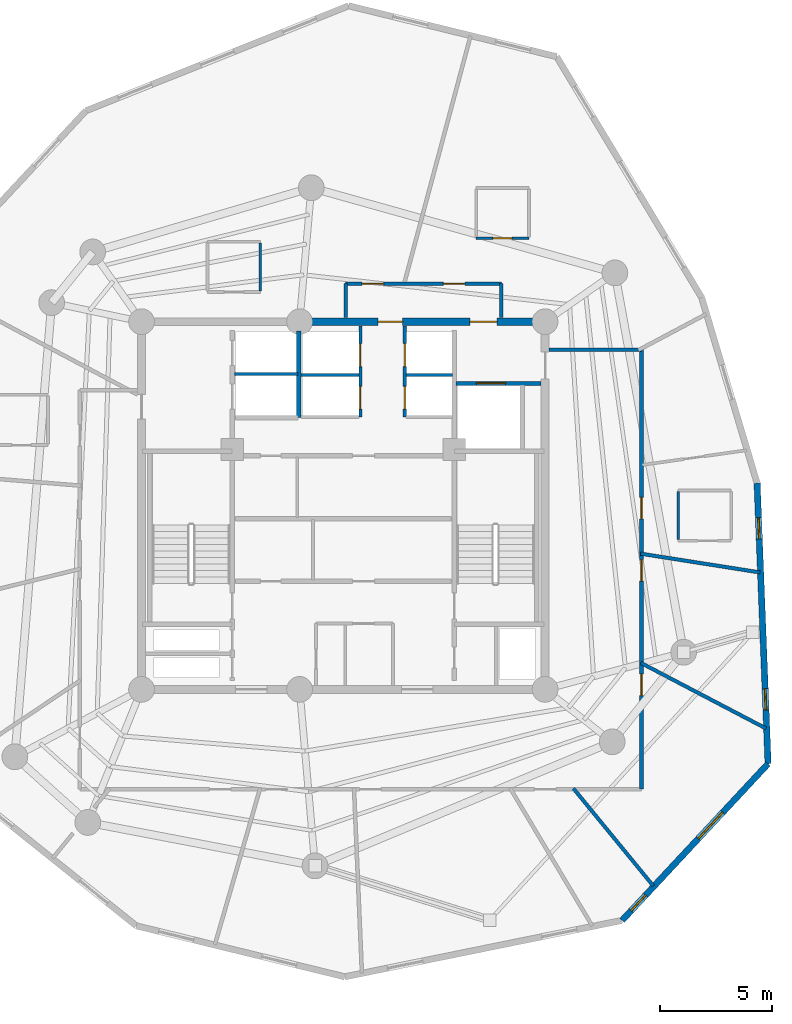
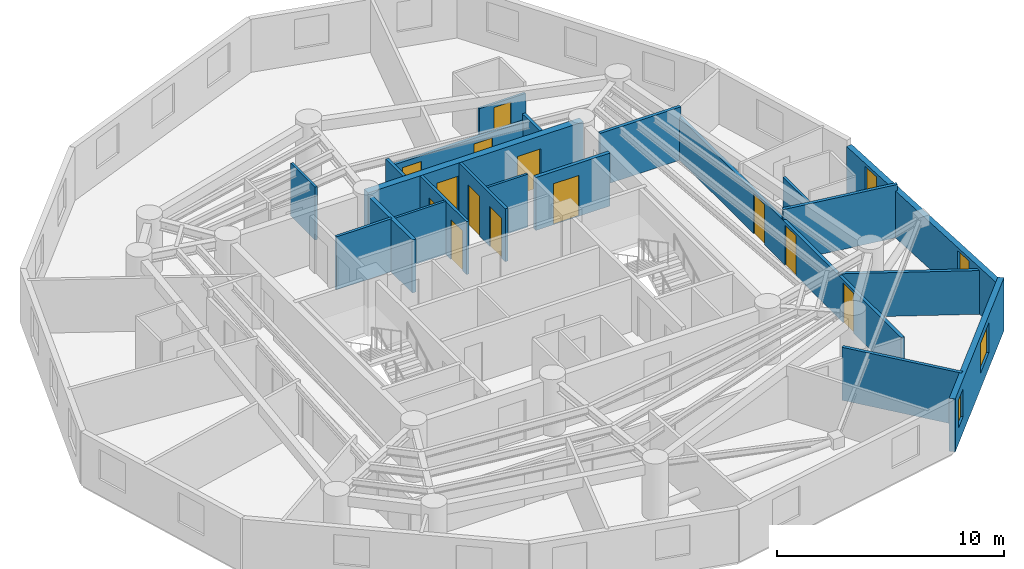
# One storey, part 5 of 7: 21 walls, 13 doors, 4 windows, 17 openings.
"""IFC4 building model written with IfcOpenShell, lengths in metres."""

from ifc_helpers import new_model, si_unit, direction, frame, frame_2d, origin, origin_with_axes, place, context, subcontext, project, spatial, rectangle, extrude, source, transform, mapped, material, layer, layer_set, type_object, element, fill, save


model = new_model("IFC4")

# Units and contexts
model_context = context("Model", 3, precision=1e-05, world=origin(), true_north=direction((0.0, 1.0)))
body_context = subcontext(model_context, "Body", "Model", "MODEL_VIEW")
ifc_project = project(units=[si_unit("LENGTHUNIT", "METRE"), si_unit("AREAUNIT", "SQUARE_METRE"), si_unit("VOLUMEUNIT", "CUBIC_METRE"), si_unit("PLANEANGLEUNIT", "RADIAN"), si_unit("MASSUNIT", "GRAM", prefix="KILO")], contexts=[model_context])

# Site, building, storey
site_placement = place(None, origin())
site = spatial("IfcSite", under=ifc_project, at=site_placement, CompositionType="ELEMENT")
building_placement = place(site_placement, origin())
building = spatial("IfcBuilding", under=site, at=building_placement, Name="Karkom Vertical University and Central Library", CompositionType="ELEMENT")
storey_placement = place(building_placement, frame((0.0, 0.0, 229.10009765625)))
storey = spatial("IfcBuildingStorey", under=building, at=storey_placement, Name="L67", CompositionType="ELEMENT", Elevation=229.10009765625)

# Wall, openings, windows
ifc_material_1 = material(Name="Brick-faced precast concrete C45/55", Category="masonry")
ifc_layer_1 = layer(ifc_material_1, 0.280029296875)
ifc_layer_set_1 = layer_set([ifc_layer_1], Name="Brick-faced precast concrete C45/55")
wall_type_1 = type_object("IfcWallType", Name="ENV-WL-BRK-280", PredefinedType="SOLIDWALL", material=ifc_layer_set_1)
wall_1_placement = place(storey_placement, frame((40.933349609375, 7.990478515625, 0.0), z_axis=(0.0, 0.0, 1.0), x_axis=(0.68172995059, 0.731603905449, 0.0)))
wall_1 = element("IfcWall", 1, at=wall_1_placement, inside=storey, type_object=wall_type_1, Name="Level 67 Brick-Faced Precast Facade Wall 05", PredefinedType="SOLIDWALL", context=body_context, shape_type="SweptSolid", body=[
    extrude(rectangle(XDim=9.555419921875, YDim=0.280029296875, at=frame_2d((4.77783203125, 0.0))), origin(), (0.0, 0.0, 1.0), 2.849853515625),
])
opening_1_placement = place(wall_1_placement, frame((0.59619140625, 0.0, 0.85009765625)))
opening_1 = element("IfcOpeningElement", 2, at=opening_1_placement, cuts=wall_1, Name="Opening WN-12", PredefinedType="OPENING", context=body_context, shape_type="SweptSolid", body=[
    extrude(rectangle(XDim=0.949951171875, YDim=1.5, at=frame_2d((0.47509765625, 0.75))), frame((0.0, 0.14990234375, 0.0), z_axis=(0.0, -1.0, 0.0), x_axis=(1.0, 0.0, 0.0)), (0.0, 0.0, 1.0), 0.300048828125),
])
opening_2_placement = place(wall_1_placement, frame((4.989013671875, 0.0, 0.85009765625)))
opening_2 = element("IfcOpeningElement", 3, at=opening_2_placement, cuts=wall_1, Name="Opening WN-10", PredefinedType="OPENING", context=body_context, shape_type="SweptSolid", body=[
    extrude(rectangle(XDim=1.60009765625, YDim=1.60009765625, at=frame_2d((0.800048828125, 0.800048828125))), frame((0.0, 0.14990234375, 0.0), z_axis=(0.0, -1.0, 0.0), x_axis=(1.0, 0.0, 0.0)), (0.0, 0.0, 1.0), 0.300048828125),
])
ifc_material_2 = material(Name="Aluminium thermal-break frame with solar-control IGU", Category="aluminium")
window_type_1 = type_object("IfcWindowType", Name="ENV-WIN-WN-12", PartitioningType="SINGLE_PANEL", PredefinedType="WINDOW", material=ifc_material_2)
shared_shape_1 = source(origin_with_axes(), body_context, "Body", "SweptSolid", [
    extrude(rectangle(XDim=0.949951171875, YDim=1.5, at=frame_2d((0.47509765625, 0.75))), frame((0.0, 0.030029296875, 0.0), z_axis=(0.0, -1.0, 0.0), x_axis=(1.0, 0.0, 0.0)), (0.0, 0.0, 1.0), 0.06005859375),
])
window_1_placement = place(opening_1_placement, origin())
window_1 = element("IfcWindow", 4, at=window_1_placement, inside=storey, type_object=window_type_1, Name="Level 67 Punched Window 5.1", OverallHeight=1.5, OverallWidth=0.949951171875, PartitioningType="SINGLE_PANEL", PredefinedType="WINDOW", context=body_context, shape_type="MappedRepresentation", body=[
    mapped(shared_shape_1, transform((0.0, 0.0, 0.0), scale=1.0)),
])
fill(opening_1, window_1)
window_type_2 = type_object("IfcWindowType", Name="ENV-WIN-WN-10", PartitioningType="SINGLE_PANEL", PredefinedType="WINDOW", material=ifc_material_2)
shared_shape_2 = source(origin_with_axes(), body_context, "Body", "SweptSolid", [
    extrude(rectangle(XDim=1.60009765625, YDim=1.60009765625, at=frame_2d((0.800048828125, 0.800048828125))), frame((0.0, 0.030029296875, 0.0), z_axis=(0.0, -1.0, 0.0), x_axis=(1.0, 0.0, 0.0)), (0.0, 0.0, 1.0), 0.06005859375),
])
window_2_placement = place(opening_2_placement, origin())
window_2 = element("IfcWindow", 5, at=window_2_placement, inside=storey, type_object=window_type_2, Name="Level 67 Punched Window 5.2", OverallHeight=1.60009765625, OverallWidth=1.60009765625, PartitioningType="SINGLE_PANEL", PredefinedType="WINDOW", context=body_context, shape_type="MappedRepresentation", body=[
    mapped(shared_shape_2, transform((0.0, 0.0, 0.0), scale=1.0)),
])
fill(opening_2, window_2)

wall_2_placement = place(storey_placement, frame((47.447509765625, 14.981201171875, 0.0), z_axis=(0.0, 0.0, 1.0), x_axis=(-0.03901101705, 0.999238780547, 0.0)))
wall_2 = element("IfcWall", 6, at=wall_2_placement, inside=storey, type_object=wall_type_1, Name="Level 67 Brick-Faced Precast Facade Wall 06", PredefinedType="SOLIDWALL", context=body_context, shape_type="SweptSolid", body=[
    extrude(rectangle(XDim=12.54150390625, YDim=0.280029296875, at=frame_2d((6.270751953125, 0.0))), origin(), (0.0, 0.0, 1.0), 2.52001953125),
])
opening_3_placement = place(wall_2_placement, frame((2.397705078125, 0.0, 0.85009765625)))
opening_3 = element("IfcOpeningElement", 7, at=opening_3_placement, cuts=wall_2, Name="Opening WN-12", PredefinedType="OPENING", context=body_context, shape_type="SweptSolid", body=[
    extrude(rectangle(XDim=0.949951171875, YDim=1.5, at=frame_2d((0.47509765625, 0.75))), frame((0.0, 0.14990234375, 0.0), z_axis=(0.0, -1.0, 0.0), x_axis=(1.0, 0.0, 0.0)), (0.0, 0.0, 1.0), 0.300048828125),
])
opening_4_placement = place(wall_2_placement, frame((10.040283203125, 0.0, 0.85009765625)))
opening_4 = element("IfcOpeningElement", 8, at=opening_4_placement, cuts=wall_2, Name="Opening WN-12", PredefinedType="OPENING", context=body_context, shape_type="SweptSolid", body=[
    extrude(rectangle(XDim=0.949951171875, YDim=1.5, at=frame_2d((0.47509765625, 0.75))), frame((0.0, 0.14990234375, 0.0), z_axis=(0.0, -1.0, 0.0), x_axis=(1.0, 0.0, 0.0)), (0.0, 0.0, 1.0), 0.300048828125),
])
window_3_placement = place(opening_3_placement, origin())
window_3 = element("IfcWindow", 9, at=window_3_placement, inside=storey, type_object=window_type_1, Name="Level 67 Punched Window 6.1", OverallHeight=1.5, OverallWidth=0.949951171875, PartitioningType="SINGLE_PANEL", PredefinedType="WINDOW", context=body_context, shape_type="MappedRepresentation", body=[
    mapped(shared_shape_1, transform((0.0, 0.0, 0.0), scale=1.0)),
])
fill(opening_3, window_3)
window_4_placement = place(opening_4_placement, origin())
window_4 = element("IfcWindow", 10, at=window_4_placement, inside=storey, type_object=window_type_1, Name="Level 67 Punched Window 6.2", OverallHeight=1.5, OverallWidth=0.949951171875, PartitioningType="SINGLE_PANEL", PredefinedType="WINDOW", context=body_context, shape_type="MappedRepresentation", body=[
    mapped(shared_shape_1, transform((0.0, 0.0, 0.0), scale=1.0)),
])
fill(opening_4, window_4)

# Wall, openings, doors
ifc_material_3 = material(Name="Insulated metal-stud drywall 160mm", Category="gypsum")
ifc_layer_2 = layer(ifc_material_3, 0.159912109375)
ifc_layer_set_2 = layer_set([ifc_layer_2], Name="Insulated metal-stud drywall 160mm")
wall_type_2 = type_object("IfcWallType", Name="INT-WL-COR-160", PredefinedType="PARTITIONING", material=ifc_layer_set_2)
wall_3_placement = place(storey_placement, frame((41.800048828125, 33.449951171875, 0.0), z_axis=(0.0, 0.0, 1.0), x_axis=(0.0, -1.0, 0.0)))
wall_3 = element("IfcWall", 11, at=wall_3_placement, inside=storey, type_object=wall_type_2, Name="Level 67 Interior Partition Wall L67-CORW-CW-005", PredefinedType="PARTITIONING", context=body_context, shape_type="SweptSolid", body=[
    extrude(rectangle(XDim=19.599853515625, YDim=0.159912109375, at=frame_2d((9.7998046875, 0.0))), origin(), (0.0, 0.0, 1.0), 2.2998046875),
])
opening_5_placement = place(wall_3_placement, frame((6.587646484375, 0.0, 0.0)))
opening_5 = element("IfcOpeningElement", 12, at=opening_5_placement, cuts=wall_3, Name="Opening FD-RM2", PredefinedType="OPENING", context=body_context, shape_type="SweptSolid", body=[
    extrude(rectangle(XDim=0.9599609375, YDim=2.14990234375, at=frame_2d((0.47998046875, 1.074951171875))), frame((0.0, 0.08984375, 0.0), z_axis=(0.0, -1.0, 0.0), x_axis=(1.0, 0.0, 0.0)), (0.0, 0.0, 1.0), 0.179931640625),
])
opening_6_placement = place(wall_3_placement, frame((14.465087890625, 0.0, 0.0)))
opening_6 = element("IfcOpeningElement", 13, at=opening_6_placement, cuts=wall_3, Name="Opening FD-RM2", PredefinedType="OPENING", context=body_context, shape_type="SweptSolid", body=[
    extrude(rectangle(XDim=0.9599609375, YDim=2.14990234375, at=frame_2d((0.47998046875, 1.074951171875))), frame((0.0, 0.08984375, 0.0), z_axis=(0.0, -1.0, 0.0), x_axis=(1.0, 0.0, 0.0)), (0.0, 0.0, 1.0), 0.179931640625),
])
opening_7_placement = place(wall_3_placement, frame((9.364990234375, 0.0, 0.0)))
opening_7 = element("IfcOpeningElement", 14, at=opening_7_placement, cuts=wall_3, Name="Opening FD-RM2", PredefinedType="OPENING", context=body_context, shape_type="SweptSolid", body=[
    extrude(rectangle(XDim=0.9599609375, YDim=2.14990234375, at=frame_2d((0.47998046875, 1.074951171875))), frame((0.0, 0.08984375, 0.0), z_axis=(0.0, -1.0, 0.0), x_axis=(1.0, 0.0, 0.0)), (0.0, 0.0, 1.0), 0.179931640625),
])
ifc_material_4 = material(Name="Fire-rated oak veneer door", Category="wood")
door_type_1 = type_object("IfcDoorType", Name="INT-DR-FRM2", OperationType="NOTDEFINED", PredefinedType="DOOR", material=ifc_material_4)
shared_shape_3 = source(origin_with_axes(), body_context, "Body", "SweptSolid", [
    extrude(rectangle(XDim=0.9599609375, YDim=2.14990234375, at=frame_2d((0.47998046875, 1.074951171875))), frame((0.0, 0.02490234375, 0.0), z_axis=(0.0, -1.0, 0.0), x_axis=(1.0, 0.0, 0.0)), (0.0, 0.0, 1.0), 0.050048828125),
])
door_1_placement = place(opening_5_placement, origin())
door_1 = element("IfcDoor", 15, at=door_1_placement, inside=storey, type_object=door_type_1, Name="Level 67 Room Entry Door 418", OperationType="SINGLE_SWING_LEFT", OverallHeight=2.14990234375, OverallWidth=0.9599609375, PredefinedType="DOOR", context=body_context, shape_type="MappedRepresentation", body=[
    mapped(shared_shape_3, transform((0.0, 0.0, 0.0), scale=1.0)),
])
fill(opening_5, door_1)
door_2_placement = place(opening_6_placement, origin())
door_2 = element("IfcDoor", 16, at=door_2_placement, inside=storey, type_object=door_type_1, Name="Level 67 Room Entry Door 307", OperationType="SINGLE_SWING_LEFT", OverallHeight=2.14990234375, OverallWidth=0.9599609375, PredefinedType="DOOR", context=body_context, shape_type="MappedRepresentation", body=[
    mapped(shared_shape_3, transform((0.0, 0.0, 0.0), scale=1.0)),
])
fill(opening_6, door_2)
door_3_placement = place(opening_7_placement, origin())
door_3 = element("IfcDoor", 17, at=door_3_placement, inside=storey, type_object=door_type_1, Name="Level 67 Room Entry Door 308", OperationType="SINGLE_SWING_RIGHT", OverallHeight=2.14990234375, OverallWidth=0.9599609375, PredefinedType="DOOR", context=body_context, shape_type="MappedRepresentation", body=[
    mapped(shared_shape_3, transform((0.0, 0.0, 0.0), scale=1.0)),
])
fill(opening_7, door_3)

wall_4_placement = place(storey_placement, frame((28.60009765625, 36.39990234375, 0.0), z_axis=(0.0, 0.0, 1.0), x_axis=(1.0, 0.0, 0.0)))
wall_4 = element("IfcWall", 18, at=wall_4_placement, inside=storey, type_object=wall_type_2, Name="Level 67 Interior Partition Wall L67-CORW-CW-007", PredefinedType="PARTITIONING", context=body_context, shape_type="SweptSolid", body=[
    extrude(rectangle(XDim=6.949951171875, YDim=0.159912109375, at=frame_2d((3.47509765625, 0.0))), origin(), (0.0, 0.0, 1.0), 2.449951171875),
])
opening_8_placement = place(wall_4_placement, frame((4.358154296875, 0.0, 0.0)))
opening_8 = element("IfcOpeningElement", 19, at=opening_8_placement, cuts=wall_4, Name="Opening FD-RM2", PredefinedType="OPENING", context=body_context, shape_type="SweptSolid", body=[
    extrude(rectangle(XDim=0.9599609375, YDim=2.14990234375, at=frame_2d((0.47998046875, 1.074951171875))), frame((0.0, 0.08984375, 0.0), z_axis=(0.0, -1.0, 0.0), x_axis=(1.0, 0.0, 0.0)), (0.0, 0.0, 1.0), 0.179931640625),
])
opening_9_placement = place(wall_4_placement, frame((0.740966796875, 0.0, 0.0)))
opening_9 = element("IfcOpeningElement", 20, at=opening_9_placement, cuts=wall_4, Name="Opening FD-RM2", PredefinedType="OPENING", context=body_context, shape_type="SweptSolid", body=[
    extrude(rectangle(XDim=0.9599609375, YDim=2.14990234375, at=frame_2d((0.47998046875, 1.074951171875))), frame((0.0, 0.08984375, 0.0), z_axis=(0.0, -1.0, 0.0), x_axis=(1.0, 0.0, 0.0)), (0.0, 0.0, 1.0), 0.179931640625),
])
door_4_placement = place(opening_8_placement, origin())
door_4 = element("IfcDoor", 21, at=door_4_placement, inside=storey, type_object=door_type_1, Name="Level 67 Room Entry Door 420", OperationType="SINGLE_SWING_LEFT", OverallHeight=2.14990234375, OverallWidth=0.9599609375, PredefinedType="DOOR", context=body_context, shape_type="MappedRepresentation", body=[
    mapped(shared_shape_3, transform((0.0, 0.0, 0.0), scale=1.0)),
])
fill(opening_8, door_4)
door_5_placement = place(opening_9_placement, origin())
door_5 = element("IfcDoor", 22, at=door_5_placement, inside=storey, type_object=door_type_1, Name="Level 67 Room Entry Door 422", OperationType="SINGLE_SWING_LEFT", OverallHeight=2.14990234375, OverallWidth=0.9599609375, PredefinedType="DOOR", context=body_context, shape_type="MappedRepresentation", body=[
    mapped(shared_shape_3, transform((0.0, 0.0, 0.0), scale=1.0)),
])
fill(opening_9, door_5)

# Walls
wall_5_placement = place(storey_placement, frame((41.7734375, 19.479736328125, 0.0), z_axis=(0.0, 0.0, 1.0), x_axis=(0.885840640279, -0.463989611986, 0.0)))
element("IfcWall", 23, at=wall_5_placement, inside=storey, type_object=wall_type_2, Name="Level 67 Interior Partition Wall L67-PW-010", PredefinedType="PARTITIONING", context=body_context, shape_type="SweptSolid", body=[
    extrude(rectangle(XDim=6.2978515625, YDim=0.159912109375, at=frame_2d((3.14892578125, 0.0))), origin(), (0.0, 0.0, 1.0), 2.349853515625),
])
wall_6_placement = place(storey_placement, frame((38.760498046875, 13.884765625, 0.0), z_axis=(0.0, 0.0, 1.0), x_axis=(0.633879507898, -0.773431813069, 0.0)))
element("IfcWall", 24, at=wall_6_placement, inside=storey, type_object=wall_type_2, Name="Level 67 Interior Partition Wall L67-PW-009", PredefinedType="PARTITIONING", context=body_context, shape_type="SweptSolid", body=[
    extrude(rectangle(XDim=5.63330078125, YDim=0.159912109375, at=frame_2d((2.816650390625, 0.0))), origin(), (0.0, 0.0, 1.0), 2.849853515625),
])
wall_7_placement = place(storey_placement, frame((41.755615234375, 24.354736328125, 0.0), z_axis=(0.0, 0.0, 1.0), x_axis=(0.987858490446, -0.155356373715, 0.0)))
element("IfcWall", 25, at=wall_7_placement, inside=storey, type_object=wall_type_2, Name="Level 67 Interior Partition Wall L67-PW-011", PredefinedType="PARTITIONING", context=body_context, shape_type="SweptSolid", body=[
    extrude(rectangle(XDim=5.39794921875, YDim=0.159912109375, at=frame_2d((2.698974609375, 0.0))), origin(), (0.0, 0.0, 1.0), 2.849853515625),
])
wall_8_placement = place(storey_placement, frame((37.681884765625, 33.449951171875, 0.0), z_axis=(0.0, 0.0, 1.0), x_axis=(1.0, 0.0, 0.0)))
element("IfcWall", 26, at=wall_8_placement, inside=storey, type_object=wall_type_2, Name="Level 67 Interior Partition Wall L67-CORW-CW-004", PredefinedType="PARTITIONING", context=body_context, shape_type="SweptSolid", body=[
    extrude(rectangle(XDim=4.1181640625, YDim=0.159912109375, at=frame_2d((2.05908203125, 0.0))), origin(), (0.0, 0.0, 1.0), 2.849853515625),
])
for number, where, z_axis, x_axis, name in (
    (27, (28.60009765625, 34.882080078125, 0.0), (0.0, 0.0, 1.0), (0.0, 1.0, 0.0), "Level 67 Interior Partition Wall L67-CORW-CW-006"),
    (28, (35.550048828125, 36.39990234375, 0.0), (0.0, 0.0, 1.0), (0.0, -1.0, 0.0), "Level 67 Interior Partition Wall L67-CORW-CW-008"),
):
    element("IfcWall", number, at=place(storey_placement, frame(where, z_axis=z_axis, x_axis=x_axis)), inside=storey, type_object=wall_type_2, Name=name, PredefinedType="PARTITIONING", context=body_context, shape_type="SweptSolid", body=[
        extrude(rectangle(XDim=1.517822265625, YDim=0.159912109375, at=frame_2d((0.7587890625, 0.0))), origin(), (0.0, 0.0, 1.0), 2.849853515625),
    ])

# Wall, opening, door
ifc_material_5 = material(Name="Moisture-resistant drywall 120mm", Category="gypsum")
ifc_layer_3 = layer(ifc_material_5, 0.1201171875)
ifc_layer_set_3 = layer_set([ifc_layer_3], Name="Moisture-resistant drywall 120mm")
wall_type_3 = type_object("IfcWallType", Name="INT-WL-INT-120F", PredefinedType="PARTITIONING", material=ifc_layer_set_3)
wall_9_placement = place(storey_placement, frame((34.423095703125, 38.422119140625, 0.0), z_axis=(0.0, 0.0, 1.0), x_axis=(1.0, 0.0, 0.0)))
wall_9 = element("IfcWall", 29, at=wall_9_placement, inside=storey, type_object=wall_type_3, Name="Level 67 Interior Partition Wall L67-ENS-50-S", PredefinedType="PARTITIONING", context=body_context, shape_type="SweptSolid", body=[
    extrude(rectangle(XDim=2.35986328125, YDim=0.1201171875, at=frame_2d((1.179931640625, 0.0))), origin(), (0.0, 0.0, 1.0), 2.2998046875),
])
opening_10_placement = place(wall_9_placement, frame((0.75, 0.0, 0.0)))
opening_10 = element("IfcOpeningElement", 30, at=opening_10_placement, cuts=wall_9, Name="Opening D-BATH", PredefinedType="OPENING", context=body_context, shape_type="SweptSolid", body=[
    extrude(rectangle(XDim=0.860107421875, YDim=2.10009765625, at=frame_2d((0.43017578125, 1.050048828125))), frame((0.0, 0.070068359375, 0.0), z_axis=(0.0, -1.0, 0.0), x_axis=(1.0, 0.0, 0.0)), (0.0, 0.0, 1.0), 0.14013671875),
])
ifc_material_6 = material(Name="Moisture-resistant oak door", Category="wood")
door_type_2 = type_object("IfcDoorType", Name="INT-DR-BATH", OperationType="NOTDEFINED", PredefinedType="DOOR", material=ifc_material_6)
shared_shape_4 = source(origin_with_axes(), body_context, "Body", "SweptSolid", [
    extrude(rectangle(XDim=0.860107421875, YDim=2.10009765625, at=frame_2d((0.43017578125, 1.050048828125))), frame((0.0, 0.02490234375, 0.0), z_axis=(0.0, -1.0, 0.0), x_axis=(1.0, 0.0, 0.0)), (0.0, 0.0, 1.0), 0.050048828125),
])
door_6_placement = place(opening_10_placement, origin())
door_6 = element("IfcDoor", 31, at=door_6_placement, inside=storey, type_object=door_type_2, Name="Level 67 En-Suite Bathroom Door 50", OperationType="SINGLE_SWING_RIGHT", OverallHeight=2.10009765625, OverallWidth=0.860107421875, PredefinedType="DOOR", context=body_context, shape_type="MappedRepresentation", body=[
    mapped(shared_shape_4, transform((0.0, 0.0, 0.0), scale=1.0)),
])
fill(opening_10, door_6)

# Walls
wall_10_placement = place(storey_placement, frame((43.43798828125, 27.125, 0.0), z_axis=(0.0, 0.0, 1.0), x_axis=(0.0, -1.0, 0.0)))
element("IfcWall", 32, at=wall_10_placement, inside=storey, type_object=wall_type_3, Name="Level 67 Interior Partition Wall L67-ENS-49-W", PredefinedType="PARTITIONING", context=body_context, shape_type="SweptSolid", body=[
    extrude(rectangle(XDim=2.139892578125, YDim=0.1201171875, at=frame_2d((1.06982421875, 0.0))), origin(), (0.0, 0.0, 1.0), 2.2998046875),
])
wall_11_placement = place(storey_placement, frame((24.799072265625, 36.076904296875, 0.0), z_axis=(0.0, 0.0, 1.0), x_axis=(0.0, 1.0, 0.0)))
element("IfcWall", 33, at=wall_11_placement, inside=storey, type_object=wall_type_3, Name="Level 67 Interior Partition Wall L67-ENS-51-E", PredefinedType="PARTITIONING", context=body_context, shape_type="SweptSolid", body=[
    extrude(rectangle(XDim=2.14013671875, YDim=0.1201171875, at=frame_2d((1.070068359375, 0.0))), origin(), (0.0, 0.0, 1.0), 2.849853515625),
])
ifc_layer_4 = layer(ifc_material_5, 0.1201171875)
ifc_layer_set_4 = layer_set([ifc_layer_4], Name="Moisture-resistant drywall 120mm")
wall_type_4 = type_object("IfcWallType", Name="INT-WL-INT-120H", PredefinedType="PARTITIONING", material=ifc_layer_set_4)
wall_12_placement = place(storey_placement, frame((26.6201171875, 32.320068359375, 0.0), z_axis=(0.0, 0.0, 1.0), x_axis=(1.0, 0.0, 0.0)))
element("IfcWall", 34, at=wall_12_placement, inside=storey, type_object=wall_type_4, Name="Level 67 Interior Partition Wall L67-CW-PH-MW", PredefinedType="PARTITIONING", context=body_context, shape_type="SweptSolid", body=[
    extrude(rectangle(XDim=2.579833984375, YDim=0.1201171875, at=frame_2d((1.2900390625, 0.0))), origin(), (0.0, 0.0, 1.0), 2.849853515625),
])
wall_13_placement = place(storey_placement, frame((31.300048828125, 32.320068359375, 0.0), z_axis=(0.0, 0.0, 1.0), x_axis=(1.0, 0.0, 0.0)))
element("IfcWall", 35, at=wall_13_placement, inside=storey, type_object=wall_type_4, Name="Level 67 Interior Partition Wall L67-CW-PH-ME", PredefinedType="PARTITIONING", context=body_context, shape_type="SweptSolid", body=[
    extrude(rectangle(XDim=2.074951171875, YDim=0.1201171875, at=frame_2d((1.03759765625, 0.0))), origin(), (0.0, 0.0, 1.0), 2.849853515625),
])

# Wall, openings, doors
ifc_material_7 = material(Name="Metal-stud gypsum partition 140mm", Category="gypsum")
ifc_layer_5 = layer(ifc_material_7, 0.139892578125)
ifc_layer_set_5 = layer_set([ifc_layer_5], Name="Metal-stud gypsum partition 140mm")
wall_type_5 = type_object("IfcWallType", Name="INT-WL-SUB-140H", PredefinedType="PARTITIONING", material=ifc_layer_set_5)
wall_14_placement = place(storey_placement, frame((29.260009765625, 30.449951171875, 0.0), z_axis=(0.0, 0.0, 1.0), x_axis=(0.0, 1.0, 0.0)))
wall_14 = element("IfcWall", 36, at=wall_14_placement, inside=storey, type_object=wall_type_5, Name="Level 67 Interior Partition Wall L67-CW-PH-W", PredefinedType="PARTITIONING", context=body_context, shape_type="SweptSolid", body=[
    extrude(rectangle(XDim=4.068115234375, YDim=0.139892578125, at=frame_2d((2.0341796875, 0.0))), origin(), (0.0, 0.0, 1.0), 2.849853515625),
])
opening_11_placement = place(wall_14_placement, frame((0.35009765625, 0.0, 0.0)))
opening_11 = element("IfcOpeningElement", 37, at=opening_11_placement, cuts=wall_14, Name="Opening LD-PH", PredefinedType="OPENING", context=body_context, shape_type="SweptSolid", body=[
    extrude(rectangle(XDim=1.02001953125, YDim=2.14990234375, at=frame_2d((0.510009765625, 1.074951171875))), frame((0.0, 0.080078125, 0.0), z_axis=(0.0, -1.0, 0.0), x_axis=(1.0, 0.0, 0.0)), (0.0, 0.0, 1.0), 0.159912109375),
])
opening_12_placement = place(wall_14_placement, frame((2.25, 0.0, 0.0)))
opening_12 = element("IfcOpeningElement", 38, at=opening_12_placement, cuts=wall_14, Name="Opening LD-PH", PredefinedType="OPENING", context=body_context, shape_type="SweptSolid", body=[
    extrude(rectangle(XDim=1.02001953125, YDim=2.14990234375, at=frame_2d((0.510009765625, 1.074951171875))), frame((0.0, 0.080078125, 0.0), z_axis=(0.0, -1.0, 0.0), x_axis=(1.0, 0.0, 0.0)), (0.0, 0.0, 1.0), 0.159912109375),
])
ifc_material_8 = material(Name="Brushed stainless-steel landing door", Category="steel")
door_type_3 = type_object("IfcDoorType", Name="INT-DR-LD-PH", OperationType="SLIDING_TO_LEFT", PredefinedType="DOOR", material=ifc_material_8)
shared_shape_5 = source(origin_with_axes(), body_context, "Body", "SweptSolid", [
    extrude(rectangle(XDim=1.02001953125, YDim=2.14990234375, at=frame_2d((0.510009765625, 1.074951171875))), frame((0.0, 0.02490234375, 0.0), z_axis=(0.0, -1.0, 0.0), x_axis=(1.0, 0.0, 0.0)), (0.0, 0.0, 1.0), 0.050048828125),
])
door_7_placement = place(opening_11_placement, origin())
door_7 = element("IfcDoor", 39, at=door_7_placement, inside=storey, type_object=door_type_3, Name="Level 67 Lift PH-1 Landing Door", OperationType="SLIDING_TO_LEFT", OverallHeight=2.14990234375, OverallWidth=1.02001953125, PredefinedType="DOOR", context=body_context, shape_type="MappedRepresentation", body=[
    mapped(shared_shape_5, transform((0.0, 0.0, 0.0), scale=1.0)),
])
fill(opening_11, door_7)
door_8_placement = place(opening_12_placement, origin())
door_8 = element("IfcDoor", 40, at=door_8_placement, inside=storey, type_object=door_type_3, Name="Level 67 Lift PH-2 Landing Door", OperationType="SLIDING_TO_LEFT", OverallHeight=2.14990234375, OverallWidth=1.02001953125, PredefinedType="DOOR", context=body_context, shape_type="MappedRepresentation", body=[
    mapped(shared_shape_5, transform((0.0, 0.0, 0.0), scale=1.0)),
])
fill(opening_12, door_8)

wall_15_placement = place(storey_placement, frame((31.239990234375, 30.449951171875, 0.0), z_axis=(0.0, 0.0, 1.0), x_axis=(0.0, 1.0, 0.0)))
wall_15 = element("IfcWall", 41, at=wall_15_placement, inside=storey, type_object=wall_type_5, Name="Level 67 Interior Partition Wall L67-CW-PH-E", PredefinedType="PARTITIONING", context=body_context, shape_type="SweptSolid", body=[
    extrude(rectangle(XDim=4.068115234375, YDim=0.139892578125, at=frame_2d((2.0341796875, 0.0))), origin(), (0.0, 0.0, 1.0), 2.849853515625),
])
opening_13_placement = place(wall_15_placement, frame((0.35009765625, 0.0, 0.0)))
opening_13 = element("IfcOpeningElement", 42, at=opening_13_placement, cuts=wall_15, Name="Opening LD-PH", PredefinedType="OPENING", context=body_context, shape_type="SweptSolid", body=[
    extrude(rectangle(XDim=1.02001953125, YDim=2.14990234375, at=frame_2d((0.510009765625, 1.074951171875))), frame((0.0, 0.080078125, 0.0), z_axis=(0.0, -1.0, 0.0), x_axis=(1.0, 0.0, 0.0)), (0.0, 0.0, 1.0), 0.159912109375),
])
opening_14_placement = place(wall_15_placement, frame((2.25, 0.0, 0.0)))
opening_14 = element("IfcOpeningElement", 43, at=opening_14_placement, cuts=wall_15, Name="Opening LD-PH", PredefinedType="OPENING", context=body_context, shape_type="SweptSolid", body=[
    extrude(rectangle(XDim=1.02001953125, YDim=2.14990234375, at=frame_2d((0.510009765625, 1.074951171875))), frame((0.0, 0.080078125, 0.0), z_axis=(0.0, -1.0, 0.0), x_axis=(1.0, 0.0, 0.0)), (0.0, 0.0, 1.0), 0.159912109375),
])
door_9_placement = place(opening_13_placement, origin())
door_9 = element("IfcDoor", 44, at=door_9_placement, inside=storey, type_object=door_type_3, Name="Level 67 Lift PH-3 Landing Door", OperationType="SLIDING_TO_LEFT", OverallHeight=2.14990234375, OverallWidth=1.02001953125, PredefinedType="DOOR", context=body_context, shape_type="MappedRepresentation", body=[
    mapped(shared_shape_5, transform((0.0, 0.0, 0.0), scale=1.0)),
])
fill(opening_13, door_9)
door_10_placement = place(opening_14_placement, origin())
door_10 = element("IfcDoor", 45, at=door_10_placement, inside=storey, type_object=door_type_3, Name="Level 67 Lift PH-4 Landing Door", OperationType="SLIDING_TO_LEFT", OverallHeight=2.14990234375, OverallWidth=1.02001953125, PredefinedType="DOOR", context=body_context, shape_type="MappedRepresentation", body=[
    mapped(shared_shape_5, transform((0.0, 0.0, 0.0), scale=1.0)),
])
fill(opening_14, door_10)

# Wall
ifc_layer_6 = layer(ifc_material_7, 0.139892578125)
ifc_layer_set_6 = layer_set([ifc_layer_6], Name="Metal-stud gypsum partition 140mm")
wall_type_6 = type_object("IfcWallType", Name="INT-WL-SUB-140X", PredefinedType="PARTITIONING", material=ifc_layer_set_6)
wall_16_placement = place(storey_placement, frame((23.652099609375, 32.3701171875, 0.0), z_axis=(0.0, 0.0, 1.0), x_axis=(1.0, 0.0, 0.0)))
element("IfcWall", 46, at=wall_16_placement, inside=storey, type_object=wall_type_6, Name="Level 67 Interior Partition Wall L67-CW-FFL-M", PredefinedType="PARTITIONING", context=body_context, shape_type="SweptSolid", body=[
    extrude(rectangle(XDim=2.827880859375, YDim=0.139892578125, at=frame_2d((1.4140625, 0.0))), origin(), (0.0, 0.0, 1.0), 2.849853515625),
])

# Wall, opening, door
ifc_material_9 = material(Name="Twin-stud acoustic drywall 180mm", Category="gypsum")
ifc_layer_7 = layer(ifc_material_9, 0.179931640625)
ifc_layer_set_7 = layer_set([ifc_layer_7], Name="Twin-stud acoustic drywall 180mm")
wall_type_7 = type_object("IfcWallType", Name="INT-WL-TEN-180F", PredefinedType="PARTITIONING", material=ifc_layer_set_7)
wall_17_placement = place(storey_placement, frame((33.534912109375, 31.949951171875, 0.0), z_axis=(0.0, 0.0, 1.0), x_axis=(1.0, 0.0, 0.0)))
wall_17 = element("IfcWall", 47, at=wall_17_placement, inside=storey, type_object=wall_type_7, Name="Level 67 Interior Partition Wall L67-CW-SVL-N", PredefinedType="PARTITIONING", context=body_context, shape_type="SweptSolid", body=[
    extrude(rectangle(XDim=3.783935546875, YDim=0.179931640625, at=frame_2d((1.89208984375, 0.0))), origin(), (0.0, 0.0, 1.0), 2.849853515625),
])
opening_15_placement = place(wall_17_placement, frame((0.89990234375, 0.0, 0.0)))
opening_15 = element("IfcOpeningElement", 48, at=opening_15_placement, cuts=wall_17, Name="Opening LD-SV1", PredefinedType="OPENING", context=body_context, shape_type="SweptSolid", body=[
    extrude(rectangle(XDim=1.300048828125, YDim=2.199951171875, at=frame_2d((0.64990234375, 1.10009765625))), frame((0.0, 0.10009765625, 0.0), z_axis=(0.0, -1.0, 0.0), x_axis=(1.0, 0.0, 0.0)), (0.0, 0.0, 1.0), 0.199951171875),
])
door_type_4 = type_object("IfcDoorType", Name="INT-DR-LD-SV1", OperationType="SLIDING_TO_LEFT", PredefinedType="DOOR", material=ifc_material_8)
shared_shape_6 = source(origin_with_axes(), body_context, "Body", "SweptSolid", [
    extrude(rectangle(XDim=1.300048828125, YDim=2.199951171875, at=frame_2d((0.64990234375, 1.10009765625))), frame((0.0, 0.02490234375, 0.0), z_axis=(0.0, -1.0, 0.0), x_axis=(1.0, 0.0, 0.0)), (0.0, 0.0, 1.0), 0.050048828125),
])
door_11_placement = place(opening_15_placement, origin())
door_11 = element("IfcDoor", 49, at=door_11_placement, inside=storey, type_object=door_type_4, Name="Level 67 Service Lift Landing Door LD-SV1", OperationType="SLIDING_TO_LEFT", OverallHeight=2.199951171875, OverallWidth=1.300048828125, PredefinedType="DOOR", context=body_context, shape_type="MappedRepresentation", body=[
    mapped(shared_shape_6, transform((0.0, 0.0, 0.0), scale=1.0)),
])
fill(opening_15, door_11)

# Wall, openings, doors
ifc_material_10 = material(Name="Concrete C45/55", Category="concrete")
ifc_layer_8 = layer(ifc_material_10, 0.35009765625)
ifc_layer_set_8 = layer_set([ifc_layer_8], Name="Concrete C45/55")
wall_type_8 = type_object("IfcWallType", Name="STR-WL-CW-350", PredefinedType="SHEAR", material=ifc_layer_set_8)
wall_18_placement = place(storey_placement, frame((37.5, 34.699951171875, 0.0), z_axis=(0.0, 0.0, 1.0), x_axis=(-1.0, 0.0, 0.0)))
wall_18 = element("IfcWall", 50, at=wall_18_placement, inside=storey, type_object=wall_type_8, Name="Level 67 Central Core Shear Wall NW1", PredefinedType="SHEAR", context=body_context, shape_type="SweptSolid", body=[
    extrude(rectangle(XDim=10.949951171875, YDim=0.35009765625, at=frame_2d((5.47509765625, 0.0))), origin(), (0.0, 0.0, 1.0), 2.849853515625),
])
opening_16_placement = place(wall_18_placement, frame((2.14990234375, 0.0, 0.0)))
opening_16 = element("IfcOpeningElement", 51, at=opening_16_placement, cuts=wall_18, Name="Opening FD-SUB1", PredefinedType="OPENING", context=body_context, shape_type="SweptSolid", body=[
    extrude(rectangle(XDim=1.199951171875, YDim=2.14990234375, at=frame_2d((0.60009765625, 1.074951171875))), frame((0.0, 0.18505859375, 0.0), z_axis=(0.0, -1.0, 0.0), x_axis=(1.0, 0.0, 0.0)), (0.0, 0.0, 1.0), 0.3701171875),
])
opening_17_placement = place(wall_18_placement, frame((6.35009765625, 0.0, 0.0)))
opening_17 = element("IfcOpeningElement", 52, at=opening_17_placement, cuts=wall_18, Name="Opening FD-FFL", PredefinedType="OPENING", context=body_context, shape_type="SweptSolid", body=[
    extrude(rectangle(XDim=1.10009765625, YDim=2.14990234375, at=frame_2d((0.550048828125, 1.074951171875))), frame((0.0, 0.18505859375, 0.0), z_axis=(0.0, -1.0, 0.0), x_axis=(1.0, 0.0, 0.0)), (0.0, 0.0, 1.0), 0.3701171875),
])
ifc_material_11 = material(Name="Painted steel smoke-seal fire door", Category="steel")
door_type_5 = type_object("IfcDoorType", Name="INT-DR-FFL", OperationType="NOTDEFINED", PredefinedType="DOOR", material=ifc_material_11)
shared_shape_7 = source(origin_with_axes(), body_context, "Body", "SweptSolid", [
    extrude(rectangle(XDim=1.10009765625, YDim=2.14990234375, at=frame_2d((0.550048828125, 1.074951171875))), frame((0.0, 0.02490234375, 0.0), z_axis=(0.0, -1.0, 0.0), x_axis=(1.0, 0.0, 0.0)), (0.0, 0.0, 1.0), 0.050048828125),
])
door_12_placement = place(opening_17_placement, origin())
door_12 = element("IfcDoor", 53, at=door_12_placement, inside=storey, type_object=door_type_5, Name="Level 67 North Core Lobby Exit Door", OperationType="SINGLE_SWING_RIGHT", OverallHeight=2.14990234375, OverallWidth=1.10009765625, PredefinedType="DOOR", context=body_context, shape_type="MappedRepresentation", body=[
    mapped(shared_shape_7, transform((0.0, 0.0, 0.0), scale=1.0)),
])
fill(opening_17, door_12)
ifc_material_12 = material(Name="Painted steel fire door", Category="steel")
door_type_6 = type_object("IfcDoorType", Name="INT-DR-SUB1", OperationType="NOTDEFINED", PredefinedType="DOOR", material=ifc_material_12)
shared_shape_8 = source(origin_with_axes(), body_context, "Body", "SweptSolid", [
    extrude(rectangle(XDim=1.199951171875, YDim=2.14990234375, at=frame_2d((0.60009765625, 1.074951171875))), frame((0.0, 0.02490234375, 0.0), z_axis=(0.0, -1.0, 0.0), x_axis=(1.0, 0.0, 0.0)), (0.0, 0.0, 1.0), 0.050048828125),
])
door_13_placement = place(opening_16_placement, origin())
door_13 = element("IfcDoor", 54, at=door_13_placement, inside=storey, type_object=door_type_6, Name="Level 67 Service Lobby Fire Door", OperationType="SINGLE_SWING_RIGHT", OverallHeight=2.14990234375, OverallWidth=1.199951171875, PredefinedType="DOOR", context=body_context, shape_type="MappedRepresentation", body=[
    mapped(shared_shape_8, transform((0.0, 0.0, 0.0), scale=1.0)),
])
fill(opening_16, door_13)

# Wall
ifc_layer_9 = layer(ifc_material_10, 0.199951171875)
ifc_layer_set_9 = layer_set([ifc_layer_9], Name="Concrete C45/55")
wall_type_9 = type_object("IfcWallType", Name="STR-WL-ST-200", PredefinedType="SHEAR", material=ifc_layer_set_9)
wall_19_placement = place(storey_placement, frame((26.52001953125, 30.419921875, 0.0), z_axis=(0.0, 0.0, 1.0), x_axis=(0.0, 1.0, 0.0)))
element("IfcWall", 55, at=wall_19_placement, inside=storey, type_object=wall_type_9, Name="Level 67 Core Shaft Wall L67-CW-FFL-E", PredefinedType="SHEAR", context=body_context, shape_type="SweptSolid", body=[
    extrude(rectangle(XDim=3.860107421875, YDim=0.199951171875, at=frame_2d((1.93017578125, 0.0))), origin(), (0.0, 0.0, 1.0), 2.849853515625),
])

save(model, "model.ifc")
